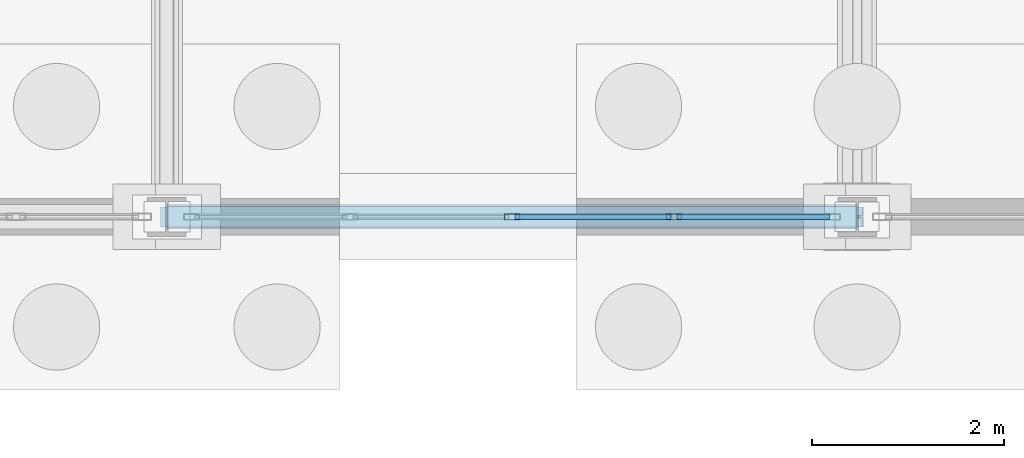
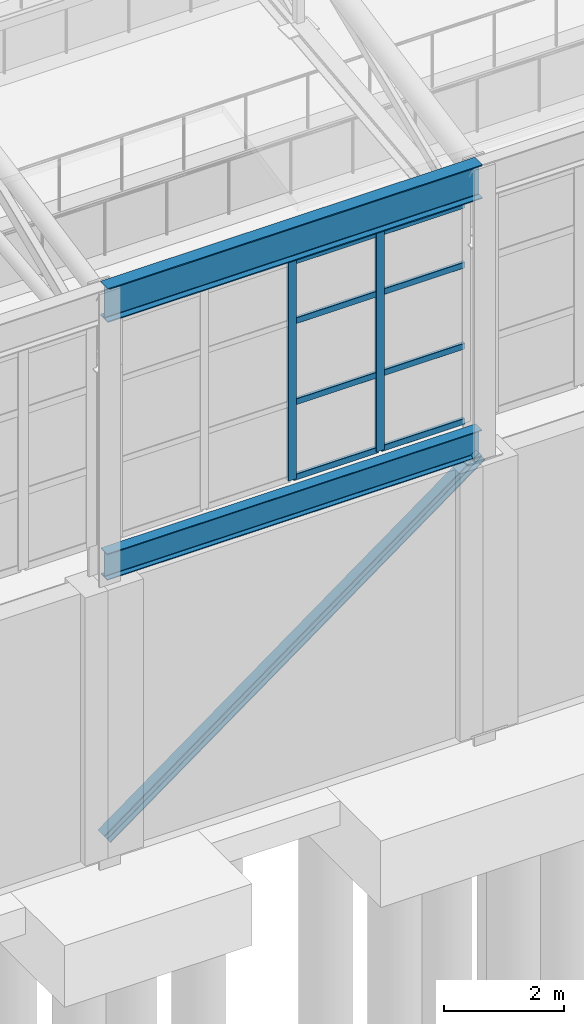
# One storey, part 126 of 293: 11 members, 2 beams, 1 element without a shape of its own.
"""IFC4 building model written with IfcOpenShell, lengths in metres."""

from ifc_helpers import new_model, si_unit, direction, frame, origin, origin_2d, place, context, subcontext, project, spatial, hollow_rectangle, i_section, extrude, material, layer, layer_set, material_profile, profile_set, type_object, element, aggregate, save


model = new_model("IFC4")

# Units and contexts
model_context = context("Model", 3, precision=1e-05, world=origin(), true_north=direction((0.0, 1.0)))
body_context = subcontext(model_context, "Body", "Model", "MODEL_VIEW")
ifc_project = project(units=[si_unit("LENGTHUNIT", "METRE"), si_unit("AREAUNIT", "SQUARE_METRE"), si_unit("VOLUMEUNIT", "CUBIC_METRE"), si_unit("PLANEANGLEUNIT", "RADIAN"), si_unit("MASSUNIT", "GRAM", prefix="KILO")], contexts=[model_context])

# Site, building, storey
site_placement = place(None, origin())
site = spatial("IfcSite", under=ifc_project, at=site_placement, CompositionType="ELEMENT")
building_placement = place(site_placement, origin())
building = spatial("IfcBuilding", under=site, at=building_placement, Name="Kemerveld Promenade Tramway Depot", CompositionType="ELEMENT")
storey_placement = place(building_placement, origin())
storey = spatial("IfcBuildingStorey", under=building, at=storey_placement, Name="L00", CompositionType="ELEMENT", Elevation=0.0)

# Beams
ifc_material_1 = material(Name="Steel S355", Category="steel")
ifc_material_profile_1 = material_profile(ifc_material_1, i_section(OverallWidth=0.25439453125, OverallDepth=0.6875, WebThickness=0.01318359375, FlangeThickness=0.02099609375, FilletRadius=0.01513671875, at=origin_2d()), Name="686x254x152 UB")
ifc_profile_set_1 = profile_set([ifc_material_profile_1], Name="Steel S355")
beam_type_1 = type_object("IfcBeamType", Name="BM-G03", PredefinedType="BEAM", material=ifc_profile_set_1)
beam_1_placement = place(storey_placement, frame((72.0, 84.0, 11.056396484375), z_axis=(1.0, 0.0, 0.0), x_axis=(0.0, 1.0, 0.0)))
element("IfcBeam", 1, at=beam_1_placement, inside=storey, type_object=beam_type_1, Name="BM-SHED-EAVE-N-11", PredefinedType="BEAM", context=body_context, shape_type="SweptSolid", body=[
    extrude(i_section(OverallWidth=0.25439453125, OverallDepth=0.6875, WebThickness=0.01318359375, FlangeThickness=0.02099609375, FilletRadius=0.01513671875, at=origin_2d()), origin(), (0.0, 0.0, 1.0), 7.199951171875),
])
ifc_material_profile_2 = material_profile(ifc_material_1, i_section(OverallWidth=0.2099609375, OverallDepth=0.53662109375, WebThickness=0.0107421875, FlangeThickness=0.017333984375, FilletRadius=0.0126953125, at=origin_2d()), Name="533x210x101 UB")
ifc_profile_set_2 = profile_set([ifc_material_profile_2], Name="Steel S355")
beam_type_2 = type_object("IfcBeamType", Name="BM-G05", PredefinedType="BEAM", material=ifc_profile_set_2)
beam_2_placement = place(storey_placement, frame((72.0, 84.0, 5.731689453125), z_axis=(1.0, 0.0, 0.0), x_axis=(0.0, 1.0, 0.0)))
element("IfcBeam", 2, at=beam_2_placement, inside=storey, type_object=beam_type_2, Name="BM-SHED-MID-N-11", PredefinedType="BEAM", context=body_context, shape_type="SweptSolid", body=[
    extrude(i_section(OverallWidth=0.2099609375, OverallDepth=0.53662109375, WebThickness=0.0107421875, FlangeThickness=0.017333984375, FilletRadius=0.0126953125, at=origin_2d()), origin(), (0.0, 0.0, 1.0), 7.199951171875),
])

# Curtain wall, members
ifc_material_2 = material(Name="Bronze anodised aluminium and solar glass", Category="aluminium")
ifc_layer = layer(ifc_material_2, 0.159912109375)
ifc_layer_set = layer_set([ifc_layer], Name="CW-SYS-09")
curtain_wall_type = type_object("IfcCurtainWallType", Name="CW-SYS-09", PredefinedType="USERDEFINED", material=ifc_layer_set)
curtain_wall_placement = place(storey_placement, origin())
curtain_wall = element("IfcCurtainWall", 3, at=curtain_wall_placement, inside=storey, type_object=curtain_wall_type, Name="CW-V1-S-06", ObjectType="GLAZED_CURTAIN_WALL", PredefinedType="USERDEFINED")
ifc_material_3 = material(Name="Bronze anodised aluminium", Category="aluminium")
ifc_material_profile_3 = material_profile(ifc_material_3, hollow_rectangle(XDim=0.06494140625, YDim=0.159912109375, WallThickness=0.00390625, InnerFilletRadius=0.001953125, OuterFilletRadius=0.00390625, at=origin_2d()), Name="CW-MUL-160x65")
ifc_profile_set_3 = profile_set([ifc_material_profile_3], Name="Bronze anodised aluminium")
member_type_1 = type_object("IfcMemberType", Name="CW-MUL-A", PredefinedType="MULLION", material=ifc_profile_set_3)
member_1_placement = place(storey_placement, frame((77.288330078125, 84.0, 6.199951171875), z_axis=(0.0, 0.0, 1.0), x_axis=(0.0, -1.0, 0.0)))
member_1 = element("IfcMember", 4, at=member_1_placement, type_object=member_type_1, Name="CW09 mullion 2", PredefinedType="MULLION", context=body_context, shape_type="SweptSolid", body=[
    extrude(hollow_rectangle(XDim=0.06494140625, YDim=0.159912109375, WallThickness=0.00390625, InnerFilletRadius=0.001953125, OuterFilletRadius=0.00390625, at=origin_2d()), origin(), (0.0, 0.0, 1.0), 4.449951171875),
])
member_2_placement = place(storey_placement, frame((75.60009765625, 84.0, 6.199951171875), z_axis=(0.0, 0.0, 1.0), x_axis=(0.0, -1.0, 0.0)))
member_2 = element("IfcMember", 5, at=member_2_placement, type_object=member_type_1, Name="CW09 mullion 3", PredefinedType="MULLION", context=body_context, shape_type="SweptSolid", body=[
    extrude(hollow_rectangle(XDim=0.06494140625, YDim=0.159912109375, WallThickness=0.00390625, InnerFilletRadius=0.001953125, OuterFilletRadius=0.00390625, at=origin_2d()), origin(), (0.0, 0.0, 1.0), 4.449951171875),
])
ifc_material_profile_4 = material_profile(ifc_material_3, hollow_rectangle(XDim=0.06005859375, YDim=0.1201171875, WallThickness=0.00390625, InnerFilletRadius=0.001953125, OuterFilletRadius=0.00390625, at=origin_2d()), Name="CW-TRN-120x60")
ifc_profile_set_4 = profile_set([ifc_material_profile_4], Name="Bronze anodised aluminium")
member_type_2 = type_object("IfcMemberType", Name="CW-TRN-A", PredefinedType="USERDEFINED", material=ifc_profile_set_4)
member_3_placement = place(storey_placement, frame((78.911865234375, 84.0, 6.22998046875), z_axis=(-1.0, 0.0, 0.0), x_axis=(0.0, -1.0, 0.0)))
member_3 = element("IfcMember", 6, at=member_3_placement, type_object=member_type_2, Name="CW09 transom 1.1", ObjectType="TRANSOM", PredefinedType="USERDEFINED", context=body_context, shape_type="SweptSolid", body=[
    extrude(hollow_rectangle(XDim=0.06005859375, YDim=0.1201171875, WallThickness=0.00390625, InnerFilletRadius=0.001953125, OuterFilletRadius=0.00390625, at=origin_2d()), origin(), (0.0, 0.0, 1.0), 1.591064453125),
])
member_4_placement = place(storey_placement, frame((78.911865234375, 84.0, 7.758056640625), z_axis=(-1.0, 0.0, 0.0), x_axis=(0.0, -1.0, 0.0)))
member_4 = element("IfcMember", 7, at=member_4_placement, type_object=member_type_2, Name="CW09 transom 1.2", ObjectType="TRANSOM", PredefinedType="USERDEFINED", context=body_context, shape_type="SweptSolid", body=[
    extrude(hollow_rectangle(XDim=0.06005859375, YDim=0.1201171875, WallThickness=0.00390625, InnerFilletRadius=0.001953125, OuterFilletRadius=0.00390625, at=origin_2d()), origin(), (0.0, 0.0, 1.0), 1.591064453125),
])
member_5_placement = place(storey_placement, frame((78.911865234375, 84.0, 9.404052734375), z_axis=(-1.0, 0.0, 0.0), x_axis=(0.0, -1.0, 0.0)))
member_5 = element("IfcMember", 8, at=member_5_placement, type_object=member_type_2, Name="CW09 transom 1.3", ObjectType="TRANSOM", PredefinedType="USERDEFINED", context=body_context, shape_type="SweptSolid", body=[
    extrude(hollow_rectangle(XDim=0.06005859375, YDim=0.1201171875, WallThickness=0.00390625, InnerFilletRadius=0.001953125, OuterFilletRadius=0.00390625, at=origin_2d()), origin(), (0.0, 0.0, 1.0), 1.591064453125),
])
member_6_placement = place(storey_placement, frame((78.911865234375, 84.0, 10.6201171875), z_axis=(-1.0, 0.0, 0.0), x_axis=(0.0, -1.0, 0.0)))
member_6 = element("IfcMember", 9, at=member_6_placement, type_object=member_type_2, Name="CW09 transom 1.4", ObjectType="TRANSOM", PredefinedType="USERDEFINED", context=body_context, shape_type="SweptSolid", body=[
    extrude(hollow_rectangle(XDim=0.06005859375, YDim=0.1201171875, WallThickness=0.00390625, InnerFilletRadius=0.001953125, OuterFilletRadius=0.00390625, at=origin_2d()), origin(), (0.0, 0.0, 1.0), 1.591064453125),
])
member_7_placement = place(storey_placement, frame((77.255859375, 84.0, 6.22998046875), z_axis=(-1.0, 0.0, 0.0), x_axis=(0.0, -1.0, 0.0)))
member_7 = element("IfcMember", 10, at=member_7_placement, type_object=member_type_2, Name="CW09 transom 2.1", ObjectType="TRANSOM", PredefinedType="USERDEFINED", context=body_context, shape_type="SweptSolid", body=[
    extrude(hollow_rectangle(XDim=0.06005859375, YDim=0.1201171875, WallThickness=0.00390625, InnerFilletRadius=0.001953125, OuterFilletRadius=0.00390625, at=origin_2d()), origin(), (0.0, 0.0, 1.0), 1.623291015625),
])
member_8_placement = place(storey_placement, frame((77.255859375, 84.0, 7.758056640625), z_axis=(-1.0, 0.0, 0.0), x_axis=(0.0, -1.0, 0.0)))
member_8 = element("IfcMember", 11, at=member_8_placement, type_object=member_type_2, Name="CW09 transom 2.2", ObjectType="TRANSOM", PredefinedType="USERDEFINED", context=body_context, shape_type="SweptSolid", body=[
    extrude(hollow_rectangle(XDim=0.06005859375, YDim=0.1201171875, WallThickness=0.00390625, InnerFilletRadius=0.001953125, OuterFilletRadius=0.00390625, at=origin_2d()), origin(), (0.0, 0.0, 1.0), 1.623291015625),
])
member_9_placement = place(storey_placement, frame((77.255859375, 84.0, 9.404052734375), z_axis=(-1.0, 0.0, 0.0), x_axis=(0.0, -1.0, 0.0)))
member_9 = element("IfcMember", 12, at=member_9_placement, type_object=member_type_2, Name="CW09 transom 2.3", ObjectType="TRANSOM", PredefinedType="USERDEFINED", context=body_context, shape_type="SweptSolid", body=[
    extrude(hollow_rectangle(XDim=0.06005859375, YDim=0.1201171875, WallThickness=0.00390625, InnerFilletRadius=0.001953125, OuterFilletRadius=0.00390625, at=origin_2d()), origin(), (0.0, 0.0, 1.0), 1.623291015625),
])
member_10_placement = place(storey_placement, frame((77.255859375, 84.0, 10.6201171875), z_axis=(-1.0, 0.0, 0.0), x_axis=(0.0, -1.0, 0.0)))
member_10 = element("IfcMember", 13, at=member_10_placement, type_object=member_type_2, Name="CW09 transom 2.4", ObjectType="TRANSOM", PredefinedType="USERDEFINED", context=body_context, shape_type="SweptSolid", body=[
    extrude(hollow_rectangle(XDim=0.06005859375, YDim=0.1201171875, WallThickness=0.00390625, InnerFilletRadius=0.001953125, OuterFilletRadius=0.00390625, at=origin_2d()), origin(), (0.0, 0.0, 1.0), 1.623291015625),
])
aggregate(curtain_wall, [member_1, member_2, member_3, member_4, member_5, member_6, member_7, member_8, member_9, member_10])

# Member
ifc_material_profile_5 = material_profile(ifc_material_1, i_section(OverallWidth=0.208984375, OverallDepth=0.22216796875, WebThickness=0.0126953125, FlangeThickness=0.0205078125, FilletRadius=0.01025390625, at=origin_2d()), Name="203x203x86 UC")
ifc_profile_set_5 = profile_set([ifc_material_profile_5], Name="Steel S355")
member_type_3 = type_object("IfcMemberType", Name="MB-TB5", PredefinedType="BRACE", material=ifc_profile_set_5)
member_11_placement = place(storey_placement, frame((72.0, 84.0, 0.199951171875), z_axis=(0.807288292304, 0.0, 0.590157278281), x_axis=(0.0, 1.0, 0.0)))
element("IfcMember", 14, at=member_11_placement, inside=storey, type_object=member_type_3, Name="BR-SHED-WALL-N-11-A", PredefinedType="BRACE", context=body_context, shape_type="SweptSolid", body=[
    extrude(i_section(OverallWidth=0.208984375, OverallDepth=0.22216796875, WebThickness=0.0126953125, FlangeThickness=0.0205078125, FilletRadius=0.01025390625, at=origin_2d()), origin(), (0.0, 0.0, 1.0), 8.918701171875),
])

save(model, "model.ifc")
